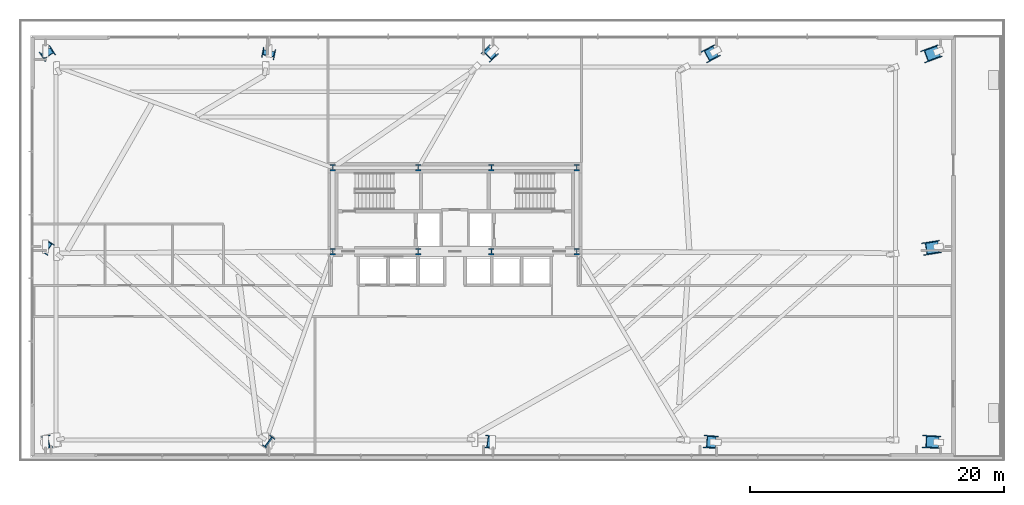
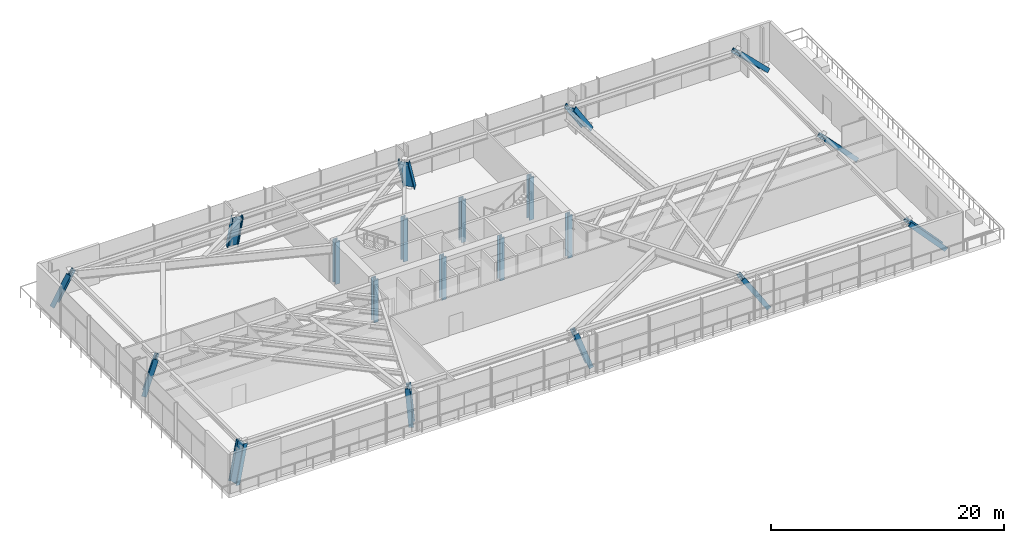
# One storey, part 1 of 33: 20 columns.
"""IFC4 building model written with IfcOpenShell, lengths in metres."""

from ifc_helpers import new_model, si_unit, direction, frame, origin, origin_2d, place, context, subcontext, project, spatial, i_section, extrude, source, transform, mapped, material, material_profile, profile_set, type_object, type_shapes, element, save


model = new_model("IFC4")

# Units and contexts
model_context = context("Model", 3, precision=1e-05, world=origin(), true_north=direction((0.0, 1.0)))
body_context = subcontext(model_context, "Body", "Model", "MODEL_VIEW")
ifc_project = project(units=[si_unit("LENGTHUNIT", "METRE"), si_unit("AREAUNIT", "SQUARE_METRE"), si_unit("VOLUMEUNIT", "CUBIC_METRE"), si_unit("PLANEANGLEUNIT", "RADIAN"), si_unit("MASSUNIT", "GRAM", prefix="KILO")], contexts=[model_context])

# Site, building, storey
site_placement = place(None, origin())
site = spatial("IfcSite", under=ifc_project, at=site_placement, CompositionType="ELEMENT")
building_placement = place(site_placement, origin())
building = spatial("IfcBuilding", under=site, at=building_placement, Name="Astriad Promenade Condominiums", CompositionType="ELEMENT")
storey_placement = place(building_placement, frame((0.0, 0.0, 9.5)))
storey = spatial("IfcBuildingStorey", under=building, at=storey_placement, Name="L02", CompositionType="ELEMENT", Elevation=9.5)

# Columns
ifc_material = material(Name="Steel ASTM A992 Grade 50", Category="steel")
ifc_material_profile_1 = material_profile(ifc_material, i_section(OverallWidth=0.43701171875, OverallDepth=0.51416015625, WebThickness=0.060546875, FlangeThickness=0.096923828125, FilletRadius=0.017822265625, at=origin_2d()), Name="W14X550")
ifc_profile_set_1 = profile_set([ifc_material_profile_1], Name="Steel ASTM A992 Grade 50")
column_type_1 = type_object("IfcColumnType", Name="STEEL CORE PILASTER W14X550", PredefinedType="PILASTER", material=ifc_profile_set_1)
shared_shape_1 = source(origin(), body_context, "Body", "SweptSolid", [
    extrude(i_section(OverallWidth=0.43701171875, OverallDepth=0.51416015625, WebThickness=0.060546875, FlangeThickness=0.096923828125, FilletRadius=0.017822265625, at=origin_2d()), origin(), (0.0, 0.0, 1.0), 4.49609375),
])
type_shapes(column_type_1, [shared_shape_1])
for number, where, z_axis, x_axis, name in (
    (1, (26.39990234375, 17.39990234375, 0.001953125), (0.0, 0.0, 1.0), (1.0, 0.0, 0.0), "Core Pilaster Column CP1 (L02)"),
    (2, (33.1201171875, 17.39990234375, 0.001953125), (0.0, 0.0, 1.0), (1.0, 0.0, 0.0), "Core Pilaster Column CP2 (L02)"),
    (3, (38.8798828125, 17.39990234375, 0.001953125), (0.0, 0.0, 1.0), (1.0, 0.0, 0.0), "Core Pilaster Column CP3 (L02)"),
    (4, (45.60009765625, 17.39990234375, 0.001953125), (0.0, 0.0, 1.0), (1.0, 0.0, 0.0), "Core Pilaster Column CP4 (L02)"),
    (5, (26.39990234375, 24.0, 0.001953125), (0.0, 0.0, 1.0), (1.0, 0.0, 0.0), "Core Pilaster Column CP5 (L02)"),
    (6, (33.1201171875, 24.0, 0.001953125), (0.0, 0.0, 1.0), (1.0, 0.0, 0.0), "Core Pilaster Column CP6 (L02)"),
    (7, (38.8798828125, 24.0, 0.001953125), (0.0, 0.0, 1.0), (1.0, 0.0, 0.0), "Core Pilaster Column CP7 (L02)"),
    (8, (45.60009765625, 24.0, 0.001953125), (0.0, 0.0, 1.0), (1.0, 0.0, 0.0), "Core Pilaster Column CP8 (L02)"),
):
    element("IfcColumn", number, at=place(storey_placement, frame(where, z_axis=z_axis, x_axis=x_axis)), inside=storey, type_object=column_type_1, Name=name, PredefinedType="PILASTER", context=body_context, shape_type="MappedRepresentation", body=[
        mapped(shared_shape_1, transform((0.0, 0.0, 0.0), scale=1.0)),
    ])
ifc_material_profile_2 = material_profile(ifc_material, i_section(OverallWidth=0.4375, OverallDepth=1.01123046875, WebThickness=0.041015625, FlangeThickness=0.073974609375, FilletRadius=0.024169921875, at=origin_2d()), Name="W36X529")
ifc_profile_set_2 = profile_set([ifc_material_profile_2], Name="Steel ASTM A992 Grade 50")
column_type_2 = type_object("IfcColumnType", Name="STEEL RAKING MEGA COLUMN W36X529", PredefinedType="COLUMN", material=ifc_profile_set_2)
shared_shape_2 = source(origin(), body_context, "Body", "SweptSolid", [
    extrude(i_section(OverallWidth=0.4375, OverallDepth=1.01123046875, WebThickness=0.041015625, FlangeThickness=0.073974609375, FilletRadius=0.024169921875, at=origin_2d()), origin(), (0.0, 0.0, 1.0), 5.13818359375),
])
column_1_placement = place(storey_placement, frame((74.06982421875, 2.387939453125, 0.1611328125), z_axis=(-0.681119746159, 0.035825900844, 0.731295013124), x_axis=(0.730285504781, -0.038411947723, 0.682061290339)))
element("IfcColumn", 9, at=column_1_placement, inside=storey, type_object=column_type_2, Name="Raking Mega-Strut Column PC05 (L02)", PredefinedType="COLUMN", context=body_context, shape_type="MappedRepresentation", body=[
    mapped(shared_shape_2, transform((0.0, 0.0, 0.0), scale=1.0)),
])
shared_shape_3 = source(origin(), body_context, "Body", "SweptSolid", [
    extrude(i_section(OverallWidth=0.4375, OverallDepth=1.01123046875, WebThickness=0.041015625, FlangeThickness=0.073974609375, FilletRadius=0.024169921875, at=origin_2d()), origin(), (0.0, 0.0, 1.0), 4.059326171875),
])
column_2_placement = place(storey_placement, frame((3.793212890625, 2.383056640625, 0.060302734375), z_axis=(0.215192579614, 0.047753747404, 0.975403369529), x_axis=(-0.952238726602, -0.211312897966, 0.220427463606)))
element("IfcColumn", 10, at=column_2_placement, inside=storey, type_object=column_type_2, Name="Raking Mega-Strut Column PC01 (L02)", PredefinedType="COLUMN", context=body_context, shape_type="MappedRepresentation", body=[
    mapped(shared_shape_3, transform((0.0, 0.0, 0.0), scale=1.0)),
])
shared_shape_4 = source(origin(), body_context, "Body", "SweptSolid", [
    extrude(i_section(OverallWidth=0.4375, OverallDepth=1.01123046875, WebThickness=0.041015625, FlangeThickness=0.073974609375, FilletRadius=0.024169921875, at=origin_2d()), origin(), (0.0, 0.0, 1.0), 4.033447265625),
])
column_3_placement = place(storey_placement, frame((21.387939453125, 2.381591796875, 0.0302734375), z_axis=(-0.067186821929, 0.048846635402, 0.996543996605), x_axis=(0.806035283511, -0.58600943585, 0.083066616826)))
element("IfcColumn", 11, at=column_3_placement, inside=storey, type_object=column_type_2, Name="Raking Mega-Strut Column PC02 (L02)", PredefinedType="COLUMN", context=body_context, shape_type="MappedRepresentation", body=[
    mapped(shared_shape_4, transform((0.0, 0.0, 0.0), scale=1.0)),
])
shared_shape_5 = source(origin(), body_context, "Body", "SweptSolid", [
    extrude(i_section(OverallWidth=0.4375, OverallDepth=1.01123046875, WebThickness=0.041015625, FlangeThickness=0.073974609375, FilletRadius=0.024169921875, at=origin_2d()), origin(), (0.0, 0.0, 1.0), 4.15234375),
])
column_4_placement = place(storey_placement, frame((38.969482421875, 2.38427734375, 0.085693359375), z_axis=(-0.334492314954, 0.046096321836, 0.941270428915), x_axis=(0.932457669002, -0.128501812708, 0.337653638586)))
element("IfcColumn", 12, at=column_4_placement, inside=storey, type_object=column_type_2, Name="Raking Mega-Strut Column PC03 (L02)", PredefinedType="COLUMN", context=body_context, shape_type="MappedRepresentation", body=[
    mapped(shared_shape_5, transform((0.0, 0.0, 0.0), scale=1.0)),
])
shared_shape_6 = source(origin(), body_context, "Body", "SweptSolid", [
    extrude(i_section(OverallWidth=0.4375, OverallDepth=1.01123046875, WebThickness=0.041015625, FlangeThickness=0.073974609375, FilletRadius=0.024169921875, at=origin_2d()), origin(), (0.0, 0.0, 1.0), 4.544677734375),
])
column_5_placement = place(storey_placement, frame((56.52587890625, 2.386474609375, 0.130615234375), z_axis=(-0.54058191129, 0.041149333603, 0.840284433707), x_axis=(0.837860523213, -0.063778312708, 0.542145801856)))
element("IfcColumn", 13, at=column_5_placement, inside=storey, type_object=column_type_2, Name="Raking Mega-Strut Column PC04 (L02)", PredefinedType="COLUMN", context=body_context, shape_type="MappedRepresentation", body=[
    mapped(shared_shape_6, transform((0.0, 0.0, 0.0), scale=1.0)),
])
shared_shape_7 = source(origin(), body_context, "Body", "SweptSolid", [
    extrude(i_section(OverallWidth=0.4375, OverallDepth=1.01123046875, WebThickness=0.041015625, FlangeThickness=0.073974609375, FilletRadius=0.024169921875, at=origin_2d()), origin(), (0.0, 0.0, 1.0), 4.2021484375),
])
column_6_placement = place(storey_placement, frame((3.80078125, 33.1875, 0.094482421875), z_axis=(0.204277360375, -0.317687316988, 0.925929548434), x_axis=(-0.500789813819, 0.778816468135, 0.37769626863)))
element("IfcColumn", 14, at=column_6_placement, inside=storey, type_object=column_type_2, Name="Raking Mega-Strut Column PC06 (L02)", PredefinedType="COLUMN", context=body_context, shape_type="MappedRepresentation", body=[
    mapped(shared_shape_7, transform((0.0, 0.0, 0.0), scale=1.0)),
])
shared_shape_8 = source(origin(), body_context, "Body", "SweptSolid", [
    extrude(i_section(OverallWidth=0.4375, OverallDepth=1.01123046875, WebThickness=0.041015625, FlangeThickness=0.073974609375, FilletRadius=0.024169921875, at=origin_2d()), origin(), (0.0, 0.0, 1.0), 4.143798828125),
])
column_7_placement = place(storey_placement, frame((21.38427734375, 33.191162109375, 0.084228515625), z_axis=(-0.063628687436, -0.32391715141, 0.943943361202), x_axis=(0.18194644336, 0.926242171846, 0.330107453479)))
element("IfcColumn", 15, at=column_7_placement, inside=storey, type_object=column_type_2, Name="Raking Mega-Strut Column PC07 (L02)", PredefinedType="COLUMN", context=body_context, shape_type="MappedRepresentation", body=[
    mapped(shared_shape_8, transform((0.0, 0.0, 0.0), scale=1.0)),
])
shared_shape_9 = source(origin(), body_context, "Body", "SweptSolid", [
    extrude(i_section(OverallWidth=0.4375, OverallDepth=1.01123046875, WebThickness=0.041015625, FlangeThickness=0.073974609375, FilletRadius=0.024169921875, at=origin_2d()), origin(), (0.0, 0.0, 1.0), 4.307861328125),
])
column_8_placement = place(storey_placement, frame((38.961181640625, 33.1826171875, 0.10888671875), z_axis=(-0.318618992054, -0.30762431321, 0.89657638817), x_axis=(0.645006270626, 0.622748850402, 0.442889128536)))
element("IfcColumn", 16, at=column_8_placement, inside=storey, type_object=column_type_2, Name="Raking Mega-Strut Column PC08 (L02)", PredefinedType="COLUMN", context=body_context, shape_type="MappedRepresentation", body=[
    mapped(shared_shape_9, transform((0.0, 0.0, 0.0), scale=1.0)),
])
shared_shape_10 = source(origin(), body_context, "Body", "SweptSolid", [
    extrude(i_section(OverallWidth=0.4375, OverallDepth=1.01123046875, WebThickness=0.041015625, FlangeThickness=0.073974609375, FilletRadius=0.024169921875, at=origin_2d()), origin(), (0.0, 0.0, 1.0), 4.70068359375),
])
column_9_placement = place(storey_placement, frame((56.519287109375, 33.171630859375, 0.140869140625), z_axis=(-0.519833601905, -0.2772376628, 0.808029890942), x_axis=(0.71297149449, 0.38024196599, 0.589141490089)))
element("IfcColumn", 17, at=column_9_placement, inside=storey, type_object=column_type_2, Name="Raking Mega-Strut Column PC09 (L02)", PredefinedType="COLUMN", context=body_context, shape_type="MappedRepresentation", body=[
    mapped(shared_shape_10, transform((0.0, 0.0, 0.0), scale=1.0)),
])
shared_shape_11 = source(origin(), body_context, "Body", "SweptSolid", [
    extrude(i_section(OverallWidth=0.4375, OverallDepth=1.01123046875, WebThickness=0.041015625, FlangeThickness=0.073974609375, FilletRadius=0.024169921875, at=origin_2d()), origin(), (0.0, 0.0, 1.0), 5.280517578125),
])
column_10_placement = place(storey_placement, frame((74.065185546875, 33.1630859375, 0.166015625), z_axis=(-0.661013793626, -0.243563031742, 0.70974489375), x_axis=(0.665973896363, 0.245390675389, 0.704458789281)))
element("IfcColumn", 18, at=column_10_placement, inside=storey, type_object=column_type_2, Name="Raking Mega-Strut Column PC10 (L02)", PredefinedType="COLUMN", context=body_context, shape_type="MappedRepresentation", body=[
    mapped(shared_shape_11, transform((0.0, 0.0, 0.0), scale=1.0)),
])
shared_shape_12 = source(origin(), body_context, "Body", "SweptSolid", [
    extrude(i_section(OverallWidth=0.4375, OverallDepth=1.01123046875, WebThickness=0.041015625, FlangeThickness=0.073974609375, FilletRadius=0.024169921875, at=origin_2d()), origin(), (0.0, 0.0, 1.0), 4.080078125),
])
column_11_placement = place(storey_placement, frame((3.794921875, 17.7900390625, 0.068115234375), z_axis=(0.213256785591, -0.142171190394, 0.966596552871), x_axis=(-0.804256946322, 0.536171297548, 0.256302758429)))
element("IfcColumn", 19, at=column_11_placement, inside=storey, type_object=column_type_2, Name="Raking Mega-Strut Column PC11 (L02)", PredefinedType="COLUMN", context=body_context, shape_type="MappedRepresentation", body=[
    mapped(shared_shape_12, transform((0.0, 0.0, 0.0), scale=1.0)),
])
shared_shape_13 = source(origin(), body_context, "Body", "SweptSolid", [
    extrude(i_section(OverallWidth=0.4375, OverallDepth=1.01123046875, WebThickness=0.041015625, FlangeThickness=0.073974609375, FilletRadius=0.024169921875, at=origin_2d()), origin(), (0.0, 0.0, 1.0), 5.162353515625),
])
type_shapes(column_type_2, [shared_shape_2, shared_shape_3, shared_shape_4, shared_shape_5, shared_shape_6, shared_shape_7, shared_shape_8, shared_shape_9, shared_shape_10, shared_shape_11, shared_shape_12, shared_shape_13])
column_12_placement = place(storey_placement, frame((74.069091796875, 17.776123046875, 0.162109375), z_axis=(-0.677659357083, -0.106976443975, 0.72755332189), x_axis=(0.718653886163, 0.11344790917, 0.686051137895)))
element("IfcColumn", 20, at=column_12_placement, inside=storey, type_object=column_type_2, Name="Raking Mega-Strut Column PC12 (L02)", PredefinedType="COLUMN", context=body_context, shape_type="MappedRepresentation", body=[
    mapped(shared_shape_13, transform((0.0, 0.0, 0.0), scale=1.0)),
])

save(model, "model.ifc")
